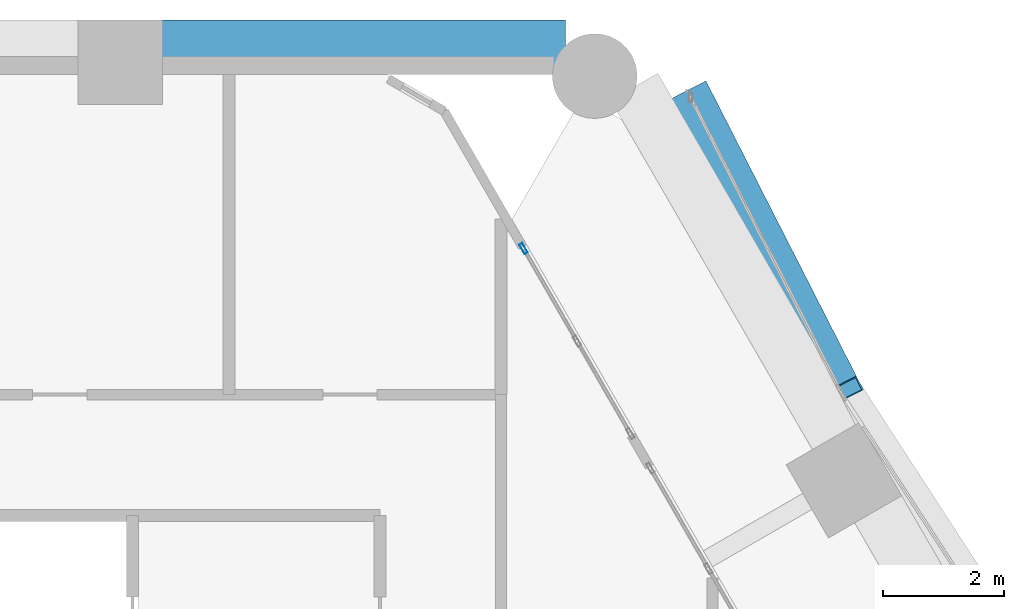
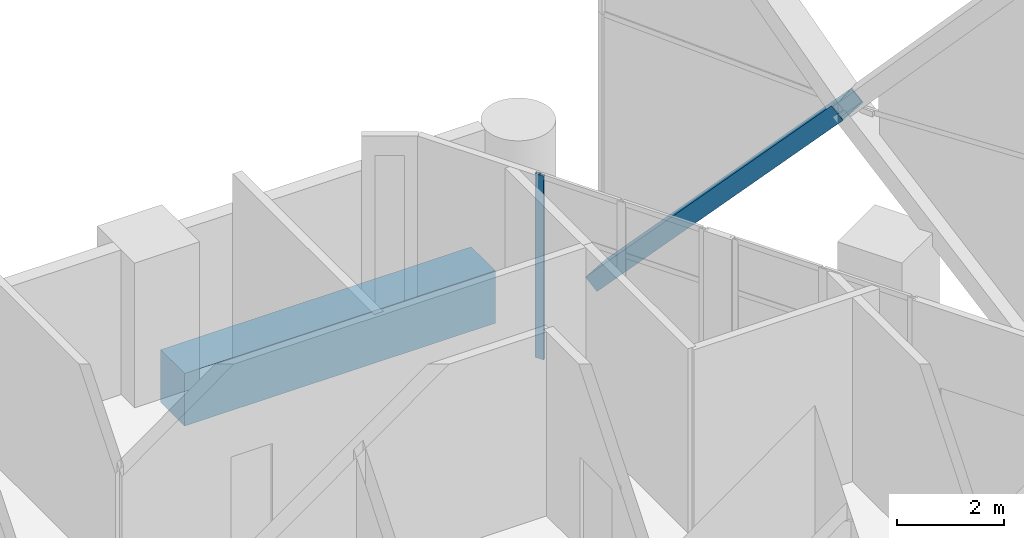
# One storey, part 32 of 46: 2 members, 1 beam, 1 element without a shape of its own.
"""IFC4 building model written with IfcOpenShell, lengths in metres."""

from ifc_helpers import new_model, si_unit, direction, frame, origin, origin_2d, place, context, subcontext, project, spatial, rectangle, hollow_rectangle, extrude, material, material_profile, profile_set, type_object, element, aggregate, save


model = new_model("IFC4")

# Units and contexts
model_context = context("Model", 3, precision=1e-05, world=origin(), true_north=direction((0.0, 1.0)))
body_context = subcontext(model_context, "Body", "Model", "MODEL_VIEW")
ifc_project = project(units=[si_unit("LENGTHUNIT", "METRE"), si_unit("AREAUNIT", "SQUARE_METRE"), si_unit("VOLUMEUNIT", "CUBIC_METRE"), si_unit("PLANEANGLEUNIT", "RADIAN"), si_unit("MASSUNIT", "GRAM", prefix="KILO")], contexts=[model_context])

# Site, building, storey
site_placement = place(None, origin())
site = spatial("IfcSite", under=ifc_project, at=site_placement, CompositionType="ELEMENT")
building_placement = place(site_placement, origin())
building = spatial("IfcBuilding", under=site, at=building_placement, Name="Ostrander Bayou Hotel Tower", CompositionType="ELEMENT")
storey_placement = place(building_placement, frame((0.0, 0.0, 23.5)))
storey = spatial("IfcBuildingStorey", under=building, at=storey_placement, Name="L05", CompositionType="ELEMENT", Elevation=23.5)

# Curtain wall, member
ifc_material_1 = material(Name="Aluminium and clear glass", Category="aluminium")
curtain_wall_type = type_object("IfcCurtainWallType", Name="CW-SKY amenity glass wall", PredefinedType="NOTDEFINED", material=ifc_material_1)
curtain_wall_placement = place(storey_placement, origin())
curtain_wall = element("IfcCurtainWall", 1, at=curtain_wall_placement, inside=storey, type_object=curtain_wall_type, Name="CW-SKY L05 NE 5", PredefinedType="NOTDEFINED")
ifc_material_2 = material(Name="Aluminium", Category="aluminium")
ifc_material_profile_1 = material_profile(ifc_material_2, hollow_rectangle(XDim=0.06005859375, YDim=0.179931640625, WallThickness=0.00390625, at=origin_2d()))
ifc_profile_set_1 = profile_set([ifc_material_profile_1], Name="Aluminium")
member_type_1 = type_object("IfcMemberType", Name="CW-SK mullion 60 x 180 mm", PredefinedType="MULLION", material=ifc_profile_set_1)
member_1_placement = place(storey_placement, frame((10.87158203125, 18.02001953125, 0.0), z_axis=(0.0, 0.0, 1.0), x_axis=(-0.866025997283, -0.499998972029, 0.0)))
member_1 = element("IfcMember", 2, at=member_1_placement, type_object=member_type_1, Name="CW-SKY mullion 3", PredefinedType="MULLION", context=body_context, shape_type="SweptSolid", body=[
    extrude(hollow_rectangle(XDim=0.06005859375, YDim=0.179931640625, WallThickness=0.00390625, at=origin_2d()), origin(), (0.0, 0.0, 1.0), 4.199951171875),
])
aggregate(curtain_wall, [member_1])

# Member
ifc_material_3 = material(Name="Steel ASTM A572 Gr 50", Category="steel")
ifc_material_profile_2 = material_profile(ifc_material_3, hollow_rectangle(XDim=0.699951171875, YDim=0.35009765625, WallThickness=0.02490234375, at=origin_2d()))
ifc_profile_set_2 = profile_set([ifc_material_profile_2], Name="Steel ASTM A572 Gr 50")
member_type_2 = type_object("IfcMemberType", Name="LT1 lattice member box 700 x 350 x 25 mm", PredefinedType="BRACE", material=ifc_profile_set_2)
member_2_placement = place(storey_placement, frame((16.126953125, 15.63330078125, 5.39990234375), z_axis=(-0.306235162835, 0.60105596943, -0.738208471), x_axis=(-0.891017407703, -0.453969139007, 0.0)))
element("IfcMember", 3, at=member_2_placement, inside=storey, type_object=member_type_2, Name="LT1 L05 NE 7", PredefinedType="BRACE", context=body_context, shape_type="SweptSolid", body=[
    extrude(hollow_rectangle(XDim=0.699951171875, YDim=0.35009765625, WallThickness=0.02490234375, at=origin_2d()), origin(), (0.0, 0.0, 1.0), 8.127685546875),
])

# Beam
ifc_material_4 = material(Name="Concrete f'c 70 MPa", Category="concrete")
ifc_material_profile_3 = material_profile(ifc_material_4, rectangle(XDim=0.89990234375, YDim=1.199951171875, at=origin_2d()))
ifc_profile_set_3 = profile_set([ifc_material_profile_3], Name="Concrete f'c 70 MPa")
beam_type = type_object("IfcBeamType", Name="SP1 spandrel beam 900 x 1200 mm f'c 70 MPa", PredefinedType="SPANDREL", material=ifc_profile_set_3)
beam_placement = place(storey_placement, frame((11.569091796875, 21.35009765625, -0.60009765625), z_axis=(-1.0, 0.0, 0.0), x_axis=(0.0, -1.0, 0.0)))
element("IfcBeam", 4, at=beam_placement, inside=storey, type_object=beam_type, Name="SP1 L05 N-1", PredefinedType="SPANDREL", context=body_context, shape_type="SweptSolid", body=[
    extrude(rectangle(XDim=0.89990234375, YDim=1.199951171875, at=origin_2d()), origin(), (0.0, 0.0, 1.0), 6.70361328125),
])

save(model, "model.ifc")
